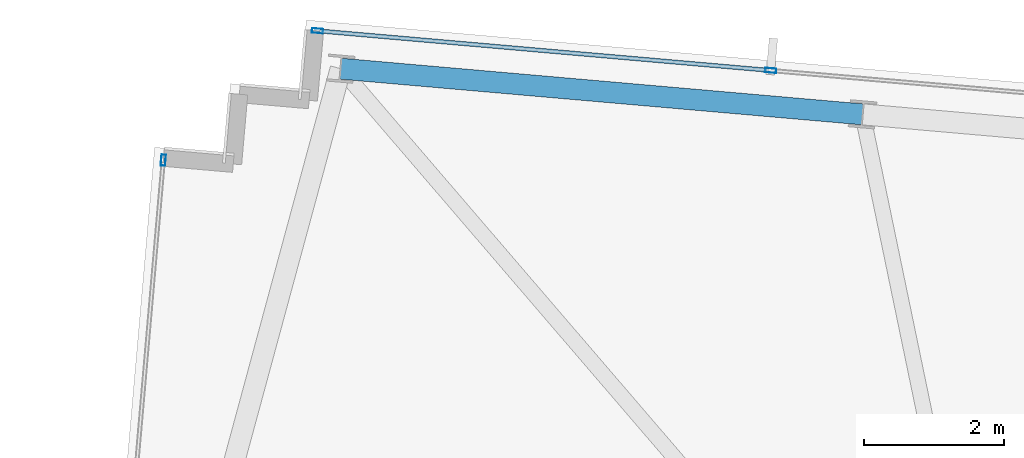
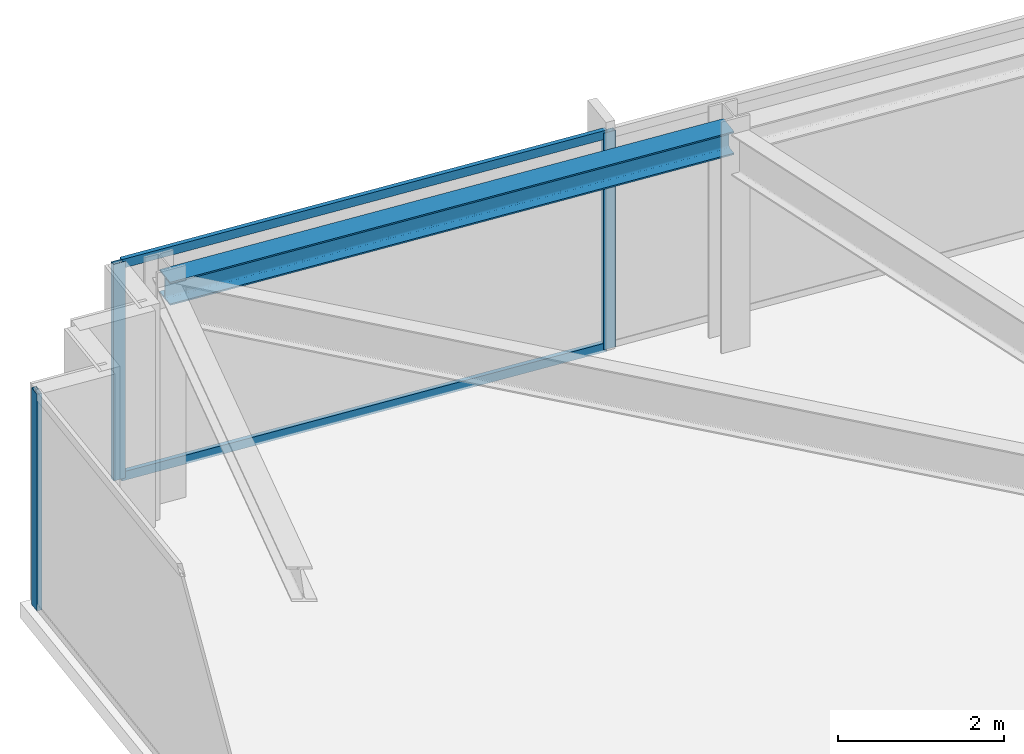
# One storey, part 23 of 32: 5 members, 1 beam, 2 elements without a shape of their own.
"""IFC4 building model written with IfcOpenShell, lengths in metres."""

from ifc_helpers import new_model, si_unit, direction, frame, origin, origin_2d, place, context, subcontext, project, spatial, hollow_rectangle, i_section, extrude, material, material_profile, profile_set, type_object, element, aggregate, save


model = new_model("IFC4")

# Units and contexts
model_context = context("Model", 3, precision=1e-05, world=origin(), true_north=direction((0.0, 1.0)))
body_context = subcontext(model_context, "Body", "Model", "MODEL_VIEW")
ifc_project = project(units=[si_unit("LENGTHUNIT", "METRE"), si_unit("AREAUNIT", "SQUARE_METRE"), si_unit("VOLUMEUNIT", "CUBIC_METRE"), si_unit("PLANEANGLEUNIT", "RADIAN"), si_unit("MASSUNIT", "GRAM", prefix="KILO")], contexts=[model_context])

# Site, building, storey
site_placement = place(None, origin())
site = spatial("IfcSite", under=ifc_project, at=site_placement, CompositionType="ELEMENT")
building_placement = place(site_placement, origin())
building = spatial("IfcBuilding", under=site, at=building_placement, Name="Yelkora Congress Tower", CompositionType="ELEMENT")
storey_placement = place(building_placement, frame((0.0, 0.0, 272.699951171875)))
storey = spatial("IfcBuildingStorey", under=building, at=storey_placement, Name="L76", CompositionType="ELEMENT", Elevation=272.699951171875)

# Beam
ifc_material_1 = material(Name="Steel S355J2", Category="steel")
ifc_material_profile_1 = material_profile(ifc_material_1, i_section(OverallWidth=0.300048828125, OverallDepth=0.340087890625, WebThickness=0.011962890625, FlangeThickness=0.021484375, FilletRadius=0.027099609375, at=origin_2d()), Name="HEB 340")
ifc_profile_set_1 = profile_set([ifc_material_profile_1], Name="Steel S355J2")
beam_type = type_object("IfcBeamType", Name="BM-SPAN-HEB340", PredefinedType="SPANDREL", material=ifc_profile_set_1)
beam_placement = place(storey_placement, frame((18.058837890625, 49.231689453125, 3.010009765625), z_axis=(-0.996193186297, 0.08717302092, 0.0), x_axis=(-0.08717302092, -0.996193186297, 0.0)))
element("IfcBeam", 1, at=beam_placement, inside=storey, type_object=beam_type, Name="L76 Perimeter Beam 12", PredefinedType="SPANDREL", context=body_context, shape_type="SweptSolid", body=[
    extrude(i_section(OverallWidth=0.300048828125, OverallDepth=0.340087890625, WebThickness=0.011962890625, FlangeThickness=0.021484375, FilletRadius=0.027099609375, at=origin_2d()), origin(), (0.0, 0.0, 1.0), 7.4833984375),
])

# Curtain wall, member
ifc_material_2 = material(Name="Anodised aluminium and insulated glass", Category="aluminium")
curtain_wall_type = type_object("IfcCurtainWallType", Name="CW-SYS-B5", PredefinedType="NOTDEFINED", material=ifc_material_2)
curtain_wall_1_placement = place(storey_placement, origin())
curtain_wall_1 = element("IfcCurtainWall", 2, at=curtain_wall_1_placement, inside=storey, type_object=curtain_wall_type, Name="L76 Unitised Curtain Wall 5", PredefinedType="NOTDEFINED")
ifc_material_3 = material(Name="Anodised aluminium 6063-T6", Category="aluminium")
ifc_material_profile_2 = material_profile(ifc_material_3, hollow_rectangle(XDim=0.06494140625, YDim=0.159912109375, WallThickness=0.00390625, at=origin_2d()), Name="ALU 65x160x4")
ifc_profile_set_2 = profile_set([ifc_material_profile_2], Name="Anodised aluminium 6063-T6")
member_type_1 = type_object("IfcMemberType", Name="MEM-ML-B5", PredefinedType="MULLION", material=ifc_profile_set_2)
member_1_placement = place(storey_placement, frame((8.070556640625, 48.577392578125, 0.0), z_axis=(0.0, 0.0, 1.0), x_axis=(-0.996194785929, 0.08715473876, 0.0)))
member_1 = element("IfcMember", 3, at=member_1_placement, type_object=member_type_1, Name="CW-B5 mullion 5", PredefinedType="MULLION", context=body_context, shape_type="SweptSolid", body=[
    extrude(hollow_rectangle(XDim=0.06494140625, YDim=0.159912109375, WallThickness=0.00390625, at=origin_2d()), origin(), (0.0, 0.0, 1.0), 3.179931640625),
])
aggregate(curtain_wall_1, [member_1])

# Curtain wall, members
curtain_wall_2_placement = place(storey_placement, origin())
curtain_wall_2 = element("IfcCurtainWall", 4, at=curtain_wall_2_placement, inside=storey, type_object=curtain_wall_type, Name="L76 Unitised Curtain Wall 10", PredefinedType="NOTDEFINED")
member_2_placement = place(storey_placement, frame((10.2724609375, 50.425048828125, 0.0), z_axis=(0.0, 0.0, 1.0), x_axis=(0.087156639893, 0.996194619601, 0.0)))
member_2 = element("IfcMember", 5, at=member_2_placement, type_object=member_type_1, Name="CW-B5 mullion 1", PredefinedType="MULLION", context=body_context, shape_type="SweptSolid", body=[
    extrude(hollow_rectangle(XDim=0.06494140625, YDim=0.159912109375, WallThickness=0.00390625, at=origin_2d()), origin(), (0.0, 0.0, 1.0), 3.179931640625),
])
member_3_placement = place(storey_placement, frame((16.74658203125, 49.858642578125, 0.0), z_axis=(0.0, 0.0, 1.0), x_axis=(0.087156639893, 0.996194619601, 0.0)))
member_3 = element("IfcMember", 6, at=member_3_placement, type_object=member_type_1, Name="CW-B5 mullion 2", PredefinedType="MULLION", context=body_context, shape_type="SweptSolid", body=[
    extrude(hollow_rectangle(XDim=0.06494140625, YDim=0.159912109375, WallThickness=0.00390625, at=origin_2d()), origin(), (0.0, 0.0, 1.0), 3.179931640625),
])
ifc_material_profile_3 = material_profile(ifc_material_3, hollow_rectangle(XDim=0.06005859375, YDim=0.1298828125, WallThickness=0.00390625, at=origin_2d()), Name="ALU 60x130x4")
ifc_profile_set_3 = profile_set([ifc_material_profile_3], Name="Anodised aluminium 6063-T6")
member_type_2 = type_object("IfcMemberType", Name="MEM-TR-B5", PredefinedType="USERDEFINED", material=ifc_profile_set_3)
member_4_placement = place(storey_placement, frame((10.3046875, 50.422119140625, 0.030029296875), z_axis=(0.996194170551, -0.08716177236, 0.0), x_axis=(0.08716177236, 0.996194170551, 0.0)))
member_4 = element("IfcMember", 7, at=member_4_placement, type_object=member_type_2, Name="CW-B5 transom 1.1", ObjectType="TRANSOM", PredefinedType="USERDEFINED", context=body_context, shape_type="SweptSolid", body=[
    extrude(hollow_rectangle(XDim=0.06005859375, YDim=0.1298828125, WallThickness=0.00390625, at=origin_2d()), origin(), (0.0, 0.0, 1.0), 6.433837890625),
])
member_5_placement = place(storey_placement, frame((10.3046875, 50.422119140625, 3.150146484375), z_axis=(0.996194170551, -0.08716177236, 0.0), x_axis=(0.08716177236, 0.996194170551, 0.0)))
member_5 = element("IfcMember", 8, at=member_5_placement, type_object=member_type_2, Name="CW-B5 transom 1.2", ObjectType="TRANSOM", PredefinedType="USERDEFINED", context=body_context, shape_type="SweptSolid", body=[
    extrude(hollow_rectangle(XDim=0.06005859375, YDim=0.1298828125, WallThickness=0.00390625, at=origin_2d()), origin(), (0.0, 0.0, 1.0), 6.433837890625),
])
aggregate(curtain_wall_2, [member_2, member_3, member_4, member_5])

save(model, "model.ifc")
